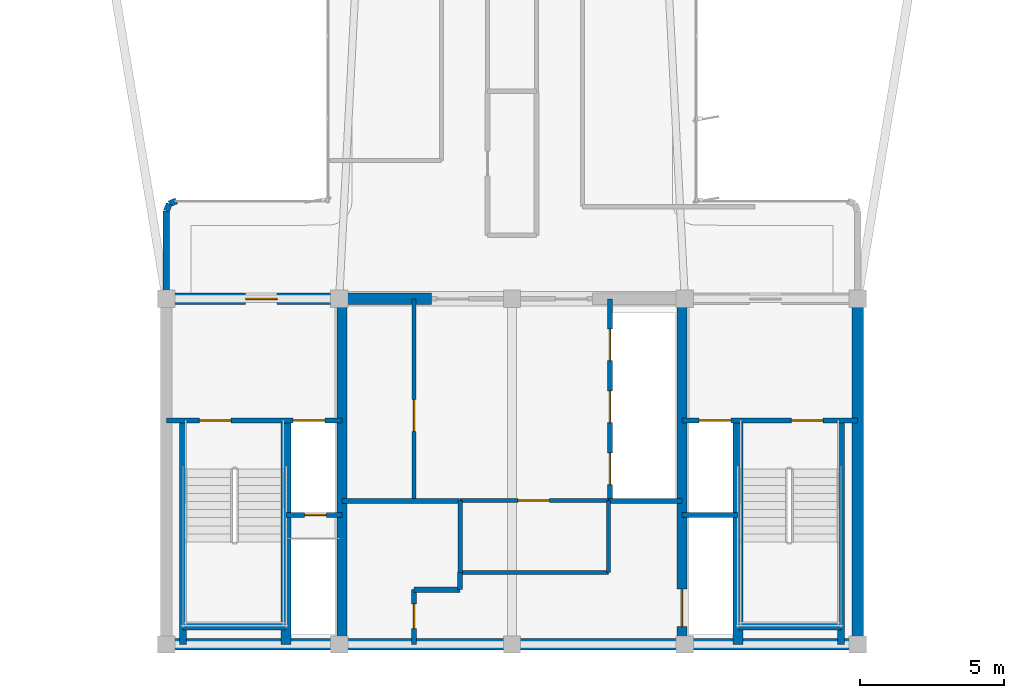
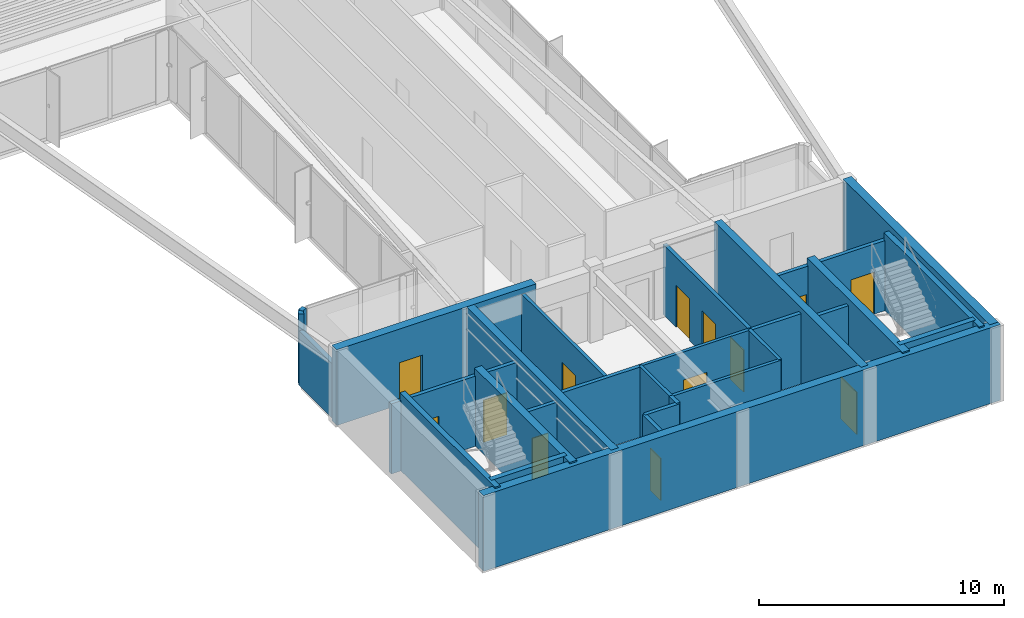
# One storey, part 10 of 14: 29 walls, 13 doors, 13 openings.
"""IFC4 building model written with IfcOpenShell, lengths in metres."""

from ifc_helpers import new_model, si_unit, direction, frame, frame_2d, origin, origin_2d, place, context, subcontext, project, spatial, rectangle, extrude, source, transform, mapped, material, layer, layer_set, type_object, element, fill, save


model = new_model("IFC4")

# Units and contexts
model_context = context("Model", 3, precision=1e-05, world=origin(), true_north=direction((0.0, 1.0)))
body_context = subcontext(model_context, "Body", "Model", "MODEL_VIEW")
ifc_project = project(units=[si_unit("LENGTHUNIT", "METRE"), si_unit("AREAUNIT", "SQUARE_METRE"), si_unit("VOLUMEUNIT", "CUBIC_METRE"), si_unit("PLANEANGLEUNIT", "RADIAN"), si_unit("MASSUNIT", "GRAM", prefix="KILO")], contexts=[model_context])

# Site, building, storey
site_placement = place(None, origin())
site = spatial("IfcSite", under=ifc_project, at=site_placement, CompositionType="ELEMENT")
building_placement = place(site_placement, origin())
building = spatial("IfcBuilding", under=site, at=building_placement, Name="Brelvock Crest Care Tower", CompositionType="ELEMENT")
storey_placement = place(building_placement, frame((0.0, 0.0, 253.260009765625)))
storey = spatial("IfcBuildingStorey", under=building, at=storey_placement, Name="L64", CompositionType="ELEMENT", Elevation=253.260009765625)

# Walls
ifc_material_1 = material(Name="Concrete S65 (65 MPa)", Category="concrete")
ifc_layer_1 = layer(ifc_material_1, 0.39990234375, Name="WL-CS4")
ifc_layer_set_1 = layer_set([ifc_layer_1], Name="Concrete S65 (65 MPa)")
wall_type_1 = type_object("IfcWallType", Name="WL-CS4", PredefinedType="SHEAR", material=ifc_layer_set_1)
wall_1_placement = place(storey_placement, frame((48.199951171875, 6.0, 0.0), z_axis=(0.0, 0.0, 1.0), x_axis=(-1.0, 0.0, 0.0)))
element("IfcWall", 1, at=wall_1_placement, inside=storey, type_object=wall_type_1, Name="L64 Core South Shear Wall", PredefinedType="SHEAR", context=body_context, shape_type="SweptSolid", body=[
    extrude(rectangle(XDim=24.39990234375, YDim=0.39990234375, at=frame_2d((12.199951171875, 0.0))), origin(), (0.0, 0.0, 1.0), 3.780029296875),
])
wall_2_placement = place(storey_placement, frame((48.0, 18.0, 0.0), z_axis=(0.0, 0.0, 1.0), x_axis=(0.0, -1.0, 0.0)))
element("IfcWall", 2, at=wall_2_placement, inside=storey, type_object=wall_type_1, Name="L64 Core East Shear Wall", PredefinedType="SHEAR", context=body_context, shape_type="SweptSolid", body=[
    extrude(rectangle(XDim=12.0, YDim=0.39990234375, at=frame_2d((6.0, 0.0))), origin(), (0.0, 0.0, 1.0), 3.780029296875),
])

# Wall, opening, door
wall_3_placement = place(storey_placement, frame((23.800048828125, 18.0, 0.0), z_axis=(0.0, 0.0, 1.0), x_axis=(1.0, 0.0, 0.0)))
wall_3 = element("IfcWall", 3, at=wall_3_placement, inside=storey, type_object=wall_type_1, Name="L64 Core North-West Shear Wall", PredefinedType="SHEAR", context=body_context, shape_type="SweptSolid", body=[
    extrude(rectangle(XDim=9.39990234375, YDim=0.39990234375, at=frame_2d((4.699951171875, 0.0))), origin(), (0.0, 0.0, 1.0), 3.780029296875),
])
opening_1_placement = place(wall_3_placement, frame((2.949951171875, 0.0, 0.0)))
opening_1 = element("IfcOpeningElement", 4, at=opening_1_placement, cuts=wall_3, Name="Opening FD-1", PredefinedType="OPENING", context=body_context, shape_type="SweptSolid", body=[
    extrude(rectangle(XDim=1.10009765625, YDim=2.10009765625, at=origin_2d()), frame((0.550048828125, 0.2099609375, 1.050048828125), z_axis=(0.0, -1.0, 0.0), x_axis=(1.0, 0.0, 0.0)), (0.0, 0.0, 1.0), 0.419921875),
])
ifc_material_2 = material(Name="Steel Grade 350", Category="steel")
door_type_1 = type_object("IfcDoorType", Name="DR-FFL1", OperationType="NOTDEFINED", PredefinedType="DOOR", material=ifc_material_2)
shared_shape_1 = source(origin(), body_context, "Body", "SweptSolid", [
    extrude(rectangle(XDim=1.10009765625, YDim=2.10009765625, at=origin_2d()), frame((0.550048828125, 0.02490234375, 1.050048828125), z_axis=(0.0, -1.0, 0.0), x_axis=(1.0, 0.0, 0.0)), (0.0, 0.0, 1.0), 0.050048828125),
])
door_1_placement = place(opening_1_placement, origin())
door_1 = element("IfcDoor", 5, at=door_1_placement, inside=storey, type_object=door_type_1, Name="L64 Firefighting Lobby FFL-1 Exit Door", OperationType="SINGLE_SWING_LEFT", OverallHeight=2.10009765625, OverallWidth=1.10009765625, PredefinedType="DOOR", context=body_context, shape_type="MappedRepresentation", body=[
    mapped(shared_shape_1, transform((0.0, 0.0, 0.0), x_axis=(1.0, 0.0, 0.0), y_axis=(0.0, 1.0, 0.0), z_axis=(0.0, 0.0, 1.0), scale=1.0)),
])
fill(opening_1, door_1)

# Wall
ifc_material_3 = material(Name="Concrete S80 (80 MPa)", Category="concrete")
ifc_layer_2 = layer(ifc_material_3, 0.35009765625, Name="WL-CS5")
ifc_layer_set_2 = layer_set([ifc_layer_2], Name="Concrete S80 (80 MPa)")
wall_type_2 = type_object("IfcWallType", Name="WL-CS5", PredefinedType="SHEAR", material=ifc_layer_set_2)
wall_4_placement = place(storey_placement, frame((30.10009765625, 6.0, 0.0), z_axis=(0.0, 0.0, 1.0), x_axis=(0.0, 1.0, 0.0)))
element("IfcWall", 6, at=wall_4_placement, inside=storey, type_object=wall_type_2, Name="L64 Core Internal Web Wall West", PredefinedType="SHEAR", context=body_context, shape_type="SweptSolid", body=[
    extrude(rectangle(XDim=12.0, YDim=0.35009765625, at=frame_2d((6.0, 0.0))), origin(), (0.0, 0.0, 1.0), 3.780029296875),
])

# Wall, opening, door
wall_5_placement = place(storey_placement, frame((41.89990234375, 18.0, 0.0), z_axis=(0.0, 0.0, 1.0), x_axis=(0.0, -1.0, 0.0)))
wall_5 = element("IfcWall", 7, at=wall_5_placement, inside=storey, type_object=wall_type_2, Name="L64 Core Internal Web Wall East", PredefinedType="SHEAR", context=body_context, shape_type="SweptSolid", body=[
    extrude(rectangle(XDim=12.0, YDim=0.35009765625, at=frame_2d((6.0, 0.0))), origin(), (0.0, 0.0, 1.0), 3.780029296875),
])
opening_2_placement = place(wall_5_placement, frame((10.080078125, 0.0, 0.0)))
opening_2 = element("IfcOpeningElement", 8, at=opening_2_placement, cuts=wall_5, Name="Opening LD-S", PredefinedType="OPENING", context=body_context, shape_type="SweptSolid", body=[
    extrude(rectangle(XDim=1.300048828125, YDim=2.10009765625, at=origin_2d()), frame((0.64990234375, 0.18505859375, 1.050048828125), z_axis=(0.0, -1.0, 0.0), x_axis=(1.0, 0.0, 0.0)), (0.0, 0.0, 1.0), 0.3701171875),
])
door_type_2 = type_object("IfcDoorType", Name="DR-LDS1", OperationType="NOTDEFINED", PredefinedType="DOOR", material=ifc_material_2)
shared_shape_2 = source(origin(), body_context, "Body", "SweptSolid", [
    extrude(rectangle(XDim=1.300048828125, YDim=2.10009765625, at=origin_2d()), frame((0.64990234375, 0.02490234375, 1.050048828125), z_axis=(0.0, -1.0, 0.0), x_axis=(1.0, 0.0, 0.0)), (0.0, 0.0, 1.0), 0.050048828125),
])
door_2_placement = place(opening_2_placement, origin())
door_2 = element("IfcDoor", 9, at=door_2_placement, inside=storey, type_object=door_type_2, Name="L64 Clinical Bed Lift SL-1 Landing Door", OperationType="SLIDING_TO_LEFT", OverallHeight=2.10009765625, OverallWidth=1.300048828125, PredefinedType="DOOR", context=body_context, shape_type="MappedRepresentation", body=[
    mapped(shared_shape_2, transform((0.0, 0.0, 0.0), x_axis=(1.0, 0.0, 0.0), y_axis=(0.0, 1.0, 0.0), z_axis=(0.0, 0.0, 1.0), scale=1.0)),
])
fill(opening_2, door_2)

# Walls
for number, where, z_axis, x_axis, name in (
    (10, (28.14990234375, 6.0, 0.0), (0.0, 0.0, 1.0), (0.0, 1.0, 0.0), "L64 Core Stair ST-1 East Shear Wall"),
    (11, (43.85009765625, 6.0, 0.0), (0.0, 0.0, 1.0), (0.0, 1.0, 0.0), "L64 Core Stair ST-2 West Shear Wall"),
):
    element("IfcWall", number, at=place(storey_placement, frame(where, z_axis=z_axis, x_axis=x_axis)), inside=storey, type_object=wall_type_2, Name=name, PredefinedType="SHEAR", context=body_context, shape_type="SweptSolid", body=[
        extrude(rectangle(XDim=7.780029296875, YDim=0.35009765625, at=frame_2d((3.89013671875, 0.0))), origin(), (0.0, 0.0, 1.0), 3.85009765625),
    ])
ifc_layer_3 = layer(ifc_material_3, 0.25, Name="WL-CS6")
ifc_layer_set_3 = layer_set([ifc_layer_3], Name="Concrete S80 (80 MPa)")
wall_type_3 = type_object("IfcWallType", Name="WL-CS6", PredefinedType="SHEAR", material=ifc_layer_set_3)
wall_6_placement = place(storey_placement, frame((24.580078125, 6.0, 0.0), z_axis=(0.0, 0.0, 1.0), x_axis=(0.0, 1.0, 0.0)))
element("IfcWall", 12, at=wall_6_placement, inside=storey, type_object=wall_type_3, Name="L64 Core Stair ST-1 West Shear Wall", PredefinedType="SHEAR", context=body_context, shape_type="SweptSolid", body=[
    extrude(rectangle(XDim=7.780029296875, YDim=0.25, at=frame_2d((3.89013671875, 0.0))), origin(), (0.0, 0.0, 1.0), 3.85009765625),
])
wall_7_placement = place(storey_placement, frame((24.580078125, 6.6201171875, 0.0), z_axis=(0.0, 0.0, 1.0), x_axis=(1.0, 0.0, 0.0)))
element("IfcWall", 13, at=wall_7_placement, inside=storey, type_object=wall_type_3, Name="L64 Core Stair ST-1 South Shear Wall", PredefinedType="SHEAR", context=body_context, shape_type="SweptSolid", body=[
    extrude(rectangle(XDim=3.56982421875, YDim=0.25, at=frame_2d((1.784912109375, 0.0))), origin(), (0.0, 0.0, 1.0), 3.85009765625),
])
wall_8_placement = place(storey_placement, frame((47.419921875, 6.0, 0.0), z_axis=(0.0, 0.0, 1.0), x_axis=(0.0, 1.0, 0.0)))
element("IfcWall", 14, at=wall_8_placement, inside=storey, type_object=wall_type_3, Name="L64 Core Stair ST-2 East Shear Wall", PredefinedType="SHEAR", context=body_context, shape_type="SweptSolid", body=[
    extrude(rectangle(XDim=7.780029296875, YDim=0.25, at=frame_2d((3.89013671875, 0.0))), origin(), (0.0, 0.0, 1.0), 3.85009765625),
])
wall_9_placement = place(storey_placement, frame((43.85009765625, 6.6201171875, 0.0), z_axis=(0.0, 0.0, 1.0), x_axis=(1.0, 0.0, 0.0)))
element("IfcWall", 15, at=wall_9_placement, inside=storey, type_object=wall_type_3, Name="L64 Core Stair ST-2 South Shear Wall", PredefinedType="SHEAR", context=body_context, shape_type="SweptSolid", body=[
    extrude(rectangle(XDim=3.56982421875, YDim=0.25, at=frame_2d((1.784912109375, 0.0))), origin(), (0.0, 0.0, 1.0), 3.85009765625),
])
ifc_material_4 = material(Name="Precast concrete N40 (40 MPa)", Category="concrete")
ifc_layer_4 = layer(ifc_material_4, 0.215087890625, Name="WL-EX2")
ifc_layer_set_4 = layer_set([ifc_layer_4], Name="Precast concrete N40 (40 MPa)")
wall_type_4 = type_object("IfcWallType", Name="WL-EX2", PredefinedType="SOLIDWALL", material=ifc_layer_set_4)
wall_10_placement = place(storey_placement, frame((24.0, 18.280029296875, 0.0), z_axis=(0.0, 0.0, 1.0), x_axis=(0.0, 1.0, 0.0)))
element("IfcWall", 16, at=wall_10_placement, inside=storey, type_object=wall_type_4, Name="L64 Rounded Corner Wall 07", PredefinedType="SOLIDWALL", context=body_context, shape_type="SweptSolid", body=[
    extrude(rectangle(XDim=2.77001953125, YDim=0.215087890625, at=frame_2d((1.385009765625, 0.0))), origin(), (0.0, 0.0, 1.0), 2.718017578125),
])
wall_11_placement = place(storey_placement, frame((24.0, 21.050048828125, 0.0), z_axis=(0.0, 0.0, 1.0), x_axis=(0.382673670509, 0.923883575944, 0.0)))
element("IfcWall", 17, at=wall_11_placement, inside=storey, type_object=wall_type_4, Name="L64 Rounded Corner Wall 08", PredefinedType="SOLIDWALL", context=body_context, shape_type="SweptSolid", body=[
    extrude(rectangle(XDim=0.26806640625, YDim=0.215087890625, at=frame_2d((0.134033203125, 0.0))), origin(), (0.0, 0.0, 1.0), 3.530029296875),
])
wall_12_placement = place(storey_placement, frame((24.1025390625, 21.297607421875, 0.0), z_axis=(0.0, 0.0, 1.0), x_axis=(0.924205486139, 0.381895560841, 0.0)))
element("IfcWall", 18, at=wall_12_placement, inside=storey, type_object=wall_type_4, Name="L64 Rounded Corner Wall 09", PredefinedType="SOLIDWALL", context=body_context, shape_type="SweptSolid", body=[
    extrude(rectangle(XDim=0.267822265625, YDim=0.215087890625, at=frame_2d((0.1337890625, 0.0))), origin(), (0.0, 0.0, 1.0), 3.530029296875),
])

# Wall, opening, door
ifc_material_5 = material(Name="Masonry Blockwork Acoustic Partition", Category="masonry")
ifc_layer_5 = layer(ifc_material_5, 0.14990234375, Name="WL-INT1")
ifc_layer_set_5 = layer_set([ifc_layer_5], Name="Masonry Blockwork Acoustic Partition")
wall_type_5 = type_object("IfcWallType", Name="WL-INT1", PredefinedType="PARTITIONING", material=ifc_layer_set_5)
wall_13_placement = place(storey_placement, frame((32.60009765625, 11.0, 0.0), z_axis=(0.0, 0.0, 1.0), x_axis=(0.0, 1.0, 0.0)))
wall_13 = element("IfcWall", 19, at=wall_13_placement, inside=storey, type_object=wall_type_5, Name="L64 Interior Wall WL-CRCL-E-L64", PredefinedType="PARTITIONING", context=body_context, shape_type="SweptSolid", body=[
    extrude(rectangle(XDim=7.0, YDim=0.14990234375, at=frame_2d((3.5, 0.0))), origin(), (0.0, 0.0, 1.0), 3.5),
])
opening_3_placement = place(wall_13_placement, frame((2.39990234375, 0.0, 0.0)))
opening_3 = element("IfcOpeningElement", 20, at=opening_3_placement, cuts=wall_13, Name="Opening PD-1", PredefinedType="OPENING", context=body_context, shape_type="SweptSolid", body=[
    extrude(rectangle(XDim=1.10009765625, YDim=2.10009765625, at=origin_2d()), frame((0.550048828125, 0.0849609375, 1.050048828125), z_axis=(0.0, -1.0, 0.0), x_axis=(1.0, 0.0, 0.0)), (0.0, 0.0, 1.0), 0.169921875),
])
door_type_3 = type_object("IfcDoorType", Name="DR-PLT1", OperationType="NOTDEFINED", PredefinedType="DOOR", material=ifc_material_2)
shared_shape_3 = source(origin(), body_context, "Body", "SweptSolid", [
    extrude(rectangle(XDim=1.10009765625, YDim=2.10009765625, at=origin_2d()), frame((0.550048828125, 0.02490234375, 1.050048828125), z_axis=(0.0, -1.0, 0.0), x_axis=(1.0, 0.0, 0.0)), (0.0, 0.0, 1.0), 0.050048828125),
])
door_3_placement = place(opening_3_placement, origin())
door_3 = element("IfcDoor", 21, at=door_3_placement, inside=storey, type_object=door_type_3, Name="DR-CRCL1-L64", OperationType="SINGLE_SWING_LEFT", OverallHeight=2.10009765625, OverallWidth=1.10009765625, PredefinedType="DOOR", context=body_context, shape_type="MappedRepresentation", body=[
    mapped(shared_shape_3, transform((0.0, 0.0, 0.0), x_axis=(1.0, 0.0, 0.0), y_axis=(0.0, 1.0, 0.0), z_axis=(0.0, 0.0, 1.0), scale=1.0)),
])
fill(opening_3, door_3)

# Walls
wall_14_placement = place(storey_placement, frame((34.199951171875, 8.5, 0.0), z_axis=(0.0, 0.0, 1.0), x_axis=(1.0, 0.0, 0.0)))
element("IfcWall", 22, at=wall_14_placement, inside=storey, type_object=wall_type_5, Name="L64 Interior Wall WL-CRCM-S-L64", PredefinedType="PARTITIONING", context=body_context, shape_type="SweptSolid", body=[
    extrude(rectangle(XDim=5.150146484375, YDim=0.14990234375, at=frame_2d((2.5751953125, 0.0))), origin(), (0.0, 0.0, 1.0), 3.5),
])
for number, where, z_axis, x_axis, name in (
    (23, (34.199951171875, 8.5, 0.0), (0.0, 0.0, 1.0), (0.0, 1.0, 0.0), "L64 Interior Wall WL-CRCM-W-L64"),
    (24, (39.35009765625, 8.5, 0.0), (0.0, 0.0, 1.0), (0.0, 1.0, 0.0), "L64 Interior Wall WL-CRCM-E-L64"),
):
    element("IfcWall", number, at=place(storey_placement, frame(where, z_axis=z_axis, x_axis=x_axis)), inside=storey, type_object=wall_type_5, Name=name, PredefinedType="PARTITIONING", context=body_context, shape_type="SweptSolid", body=[
        extrude(rectangle(XDim=2.5, YDim=0.14990234375, at=frame_2d((1.25, 0.0))), origin(), (0.0, 0.0, 1.0), 3.5),
    ])

# Wall, opening, door
wall_15_placement = place(storey_placement, frame((34.199951171875, 11.0, 0.0), z_axis=(0.0, 0.0, 1.0), x_axis=(1.0, 0.0, 0.0)))
wall_15 = element("IfcWall", 25, at=wall_15_placement, inside=storey, type_object=wall_type_5, Name="L64 Interior Wall WL-CRCM-N-L64", PredefinedType="PARTITIONING", context=body_context, shape_type="SweptSolid", body=[
    extrude(rectangle(XDim=5.150146484375, YDim=0.14990234375, at=frame_2d((2.5751953125, 0.0))), origin(), (0.0, 0.0, 1.0), 3.5),
])
opening_4_placement = place(wall_15_placement, frame((2.0, 0.0, 0.0)))
opening_4 = element("IfcOpeningElement", 26, at=opening_4_placement, cuts=wall_15, Name="Opening PD-1", PredefinedType="OPENING", context=body_context, shape_type="SweptSolid", body=[
    extrude(rectangle(XDim=1.10009765625, YDim=2.10009765625, at=origin_2d()), frame((0.550048828125, 0.0849609375, 1.050048828125), z_axis=(0.0, -1.0, 0.0), x_axis=(1.0, 0.0, 0.0)), (0.0, 0.0, 1.0), 0.169921875),
])
door_4_placement = place(opening_4_placement, origin())
door_4 = element("IfcDoor", 27, at=door_4_placement, inside=storey, type_object=door_type_3, Name="DR-CRCM1-L64", OperationType="SINGLE_SWING_LEFT", OverallHeight=2.10009765625, OverallWidth=1.10009765625, PredefinedType="DOOR", context=body_context, shape_type="MappedRepresentation", body=[
    mapped(shared_shape_3, transform((0.0, 0.0, 0.0), x_axis=(1.0, 0.0, 0.0), y_axis=(0.0, 1.0, 0.0), z_axis=(0.0, 0.0, 1.0), scale=1.0)),
])
fill(opening_4, door_4)

# Walls
ifc_layer_6 = layer(ifc_material_5, 0.179931640625, Name="WL-SHF1")
ifc_layer_set_6 = layer_set([ifc_layer_6], Name="Masonry Blockwork Acoustic Partition")
wall_type_6 = type_object("IfcWallType", Name="WL-SHF1", PredefinedType="PARTITIONING", material=ifc_layer_set_6)
wall_16_placement = place(storey_placement, frame((30.10009765625, 10.97998046875, 0.0), z_axis=(0.0, 0.0, 1.0), x_axis=(1.0, 0.0, 0.0)))
element("IfcWall", 28, at=wall_16_placement, inside=storey, type_object=wall_type_6, Name="L64 Interior Wall WL-CSBW-N-L64", PredefinedType="PARTITIONING", context=body_context, shape_type="SweptSolid", body=[
    extrude(rectangle(XDim=4.079833984375, YDim=0.179931640625, at=frame_2d((2.0400390625, 0.0))), origin(), (0.0, 0.0, 1.0), 3.5),
])
wall_17_placement = place(storey_placement, frame((34.199951171875, 7.89990234375, 0.0), z_axis=(0.0, 0.0, 1.0), x_axis=(0.0, 1.0, 0.0)))
element("IfcWall", 29, at=wall_17_placement, inside=storey, type_object=wall_type_6, Name="L64 Interior Wall WL-CSBW-E2-L64", PredefinedType="PARTITIONING", context=body_context, shape_type="SweptSolid", body=[
    extrude(rectangle(XDim=0.60009765625, YDim=0.179931640625, at=frame_2d((0.300048828125, 0.0))), origin(), (0.0, 0.0, 1.0), 3.5),
])
wall_18_placement = place(storey_placement, frame((32.60009765625, 7.89990234375, 0.0), z_axis=(0.0, 0.0, 1.0), x_axis=(1.0, 0.0, 0.0)))
element("IfcWall", 30, at=wall_18_placement, inside=storey, type_object=wall_type_6, Name="L64 Interior Wall WL-CSBW-S2-L64", PredefinedType="PARTITIONING", context=body_context, shape_type="SweptSolid", body=[
    extrude(rectangle(XDim=1.599853515625, YDim=0.179931640625, at=frame_2d((0.7998046875, 0.0))), origin(), (0.0, 0.0, 1.0), 3.5),
])

# Wall, opening, door
wall_19_placement = place(storey_placement, frame((32.60009765625, 6.0, 0.0), z_axis=(0.0, 0.0, 1.0), x_axis=(0.0, 1.0, 0.0)))
wall_19 = element("IfcWall", 31, at=wall_19_placement, inside=storey, type_object=wall_type_6, Name="L64 Interior Wall WL-CSBW-E1-L64", PredefinedType="PARTITIONING", context=body_context, shape_type="SweptSolid", body=[
    extrude(rectangle(XDim=1.89990234375, YDim=0.179931640625, at=frame_2d((0.949951171875, 0.0))), origin(), (0.0, 0.0, 1.0), 3.5),
])
opening_5_placement = place(wall_19_placement, frame((0.550048828125, 0.0, 0.0)))
opening_5 = element("IfcOpeningElement", 32, at=opening_5_placement, cuts=wall_19, Name="Opening ID-1", PredefinedType="OPENING", context=body_context, shape_type="SweptSolid", body=[
    extrude(rectangle(XDim=0.860107421875, YDim=2.10009765625, at=origin_2d()), frame((0.43017578125, 0.10009765625, 1.050048828125), z_axis=(0.0, -1.0, 0.0), x_axis=(1.0, 0.0, 0.0)), (0.0, 0.0, 1.0), 0.199951171875),
])
ifc_material_6 = material(Name="Engineered Hardwood Timber", Category="wood")
door_type_4 = type_object("IfcDoorType", Name="DR-INT1", OperationType="NOTDEFINED", PredefinedType="DOOR", material=ifc_material_6)
shared_shape_4 = source(origin(), body_context, "Body", "SweptSolid", [
    extrude(rectangle(XDim=0.860107421875, YDim=2.10009765625, at=origin_2d()), frame((0.43017578125, 0.02490234375, 1.050048828125), z_axis=(0.0, -1.0, 0.0), x_axis=(1.0, 0.0, 0.0)), (0.0, 0.0, 1.0), 0.050048828125),
])
door_5_placement = place(opening_5_placement, origin())
door_5 = element("IfcDoor", 33, at=door_5_placement, inside=storey, type_object=door_type_4, Name="DR-CSBW-L64", OperationType="SINGLE_SWING_LEFT", OverallHeight=2.10009765625, OverallWidth=0.860107421875, PredefinedType="DOOR", context=body_context, shape_type="MappedRepresentation", body=[
    mapped(shared_shape_4, transform((0.0, 0.0, 0.0), x_axis=(1.0, 0.0, 0.0), y_axis=(0.0, 1.0, 0.0), z_axis=(0.0, 0.0, 1.0), scale=1.0)),
])
fill(opening_5, door_5)

# Wall
wall_20_placement = place(storey_placement, frame((39.35009765625, 10.97998046875, 0.0), z_axis=(0.0, 0.0, 1.0), x_axis=(1.0, 0.0, 0.0)))
element("IfcWall", 34, at=wall_20_placement, inside=storey, type_object=wall_type_6, Name="L64 Interior Wall WL-CSBE-N-L64", PredefinedType="PARTITIONING", context=body_context, shape_type="SweptSolid", body=[
    extrude(rectangle(XDim=2.5498046875, YDim=0.179931640625, at=frame_2d((1.27490234375, 0.0))), origin(), (0.0, 0.0, 1.0), 3.5),
])

# Wall, openings, doors
wall_21_placement = place(storey_placement, frame((24.0, 13.780029296875, 0.0), z_axis=(0.0, 0.0, 1.0), x_axis=(1.0, 0.0, 0.0)))
wall_21 = element("IfcWall", 35, at=wall_21_placement, inside=storey, type_object=wall_type_6, Name="L64 Interior Wall WL-ST1-N-L64", PredefinedType="PARTITIONING", context=body_context, shape_type="SweptSolid", body=[
    extrude(rectangle(XDim=6.10009765625, YDim=0.179931640625, at=frame_2d((3.050048828125, 0.0))), origin(), (0.0, 0.0, 1.0), 3.5),
])
opening_6_placement = place(wall_21_placement, frame((1.14990234375, 0.0, 0.0)))
opening_6 = element("IfcOpeningElement", 36, at=opening_6_placement, cuts=wall_21, Name="Opening SD-1", PredefinedType="OPENING", context=body_context, shape_type="SweptSolid", body=[
    extrude(rectangle(XDim=1.10009765625, YDim=2.10009765625, at=origin_2d()), frame((0.550048828125, 0.10009765625, 1.050048828125), z_axis=(0.0, -1.0, 0.0), x_axis=(1.0, 0.0, 0.0)), (0.0, 0.0, 1.0), 0.199951171875),
])
opening_7_placement = place(wall_21_placement, frame((4.39990234375, 0.0, 0.0)))
opening_7 = element("IfcOpeningElement", 37, at=opening_7_placement, cuts=wall_21, Name="Opening LD", PredefinedType="OPENING", context=body_context, shape_type="SweptSolid", body=[
    extrude(rectangle(XDim=1.10009765625, YDim=2.10009765625, at=origin_2d()), frame((0.550048828125, 0.10009765625, 1.050048828125), z_axis=(0.0, -1.0, 0.0), x_axis=(1.0, 0.0, 0.0)), (0.0, 0.0, 1.0), 0.199951171875),
])
door_type_5 = type_object("IfcDoorType", Name="DR-ST1", OperationType="NOTDEFINED", PredefinedType="DOOR", material=ifc_material_2)
shared_shape_5 = source(origin(), body_context, "Body", "SweptSolid", [
    extrude(rectangle(XDim=1.10009765625, YDim=2.10009765625, at=origin_2d()), frame((0.550048828125, 0.02490234375, 1.050048828125), z_axis=(0.0, -1.0, 0.0), x_axis=(1.0, 0.0, 0.0)), (0.0, 0.0, 1.0), 0.050048828125),
])
door_6_placement = place(opening_6_placement, origin())
door_6 = element("IfcDoor", 38, at=door_6_placement, inside=storey, type_object=door_type_5, Name="L64 Fire Stair ST-1 Door", OperationType="SINGLE_SWING_LEFT", OverallHeight=2.10009765625, OverallWidth=1.10009765625, PredefinedType="DOOR", context=body_context, shape_type="MappedRepresentation", body=[
    mapped(shared_shape_5, transform((0.0, 0.0, 0.0), x_axis=(1.0, 0.0, 0.0), y_axis=(0.0, 1.0, 0.0), z_axis=(0.0, 0.0, 1.0), scale=1.0)),
])
fill(opening_6, door_6)
door_type_6 = type_object("IfcDoorType", Name="DR-LD1", OperationType="NOTDEFINED", PredefinedType="DOOR", material=ifc_material_2)
shared_shape_6 = source(origin(), body_context, "Body", "SweptSolid", [
    extrude(rectangle(XDim=1.10009765625, YDim=2.10009765625, at=origin_2d()), frame((0.550048828125, 0.02490234375, 1.050048828125), z_axis=(0.0, -1.0, 0.0), x_axis=(1.0, 0.0, 0.0)), (0.0, 0.0, 1.0), 0.050048828125),
])
door_7_placement = place(opening_7_placement, origin())
door_7 = element("IfcDoor", 39, at=door_7_placement, inside=storey, type_object=door_type_6, Name="L64 Firefighting Lift FFL-1 Landing Door", OperationType="SLIDING_TO_LEFT", OverallHeight=2.10009765625, OverallWidth=1.10009765625, PredefinedType="DOOR", context=body_context, shape_type="MappedRepresentation", body=[
    mapped(shared_shape_6, transform((0.0, 0.0, 0.0), x_axis=(1.0, 0.0, 0.0), y_axis=(0.0, 1.0, 0.0), z_axis=(0.0, 0.0, 1.0), scale=1.0)),
])
fill(opening_7, door_7)

# Wall, opening, door
wall_22_placement = place(storey_placement, frame((28.14990234375, 10.5, 0.0), z_axis=(0.0, 0.0, 1.0), x_axis=(1.0, 0.0, 0.0)))
wall_22 = element("IfcWall", 40, at=wall_22_placement, inside=storey, type_object=wall_type_6, Name="L64 Interior Wall WL-FFH1-S-L64", PredefinedType="PARTITIONING", context=body_context, shape_type="SweptSolid", body=[
    extrude(rectangle(XDim=1.9501953125, YDim=0.179931640625, at=frame_2d((0.97509765625, 0.0))), origin(), (0.0, 0.0, 1.0), 3.5),
])
opening_8_placement = place(wall_22_placement, frame((0.64990234375, 0.0, 0.0)))
opening_8 = element("IfcOpeningElement", 41, at=opening_8_placement, cuts=wall_22, Name="Opening RD-1", PredefinedType="OPENING", context=body_context, shape_type="SweptSolid", body=[
    extrude(rectangle(XDim=0.760009765625, YDim=2.050048828125, at=origin_2d()), frame((0.3798828125, 0.10009765625, 1.02490234375), z_axis=(0.0, -1.0, 0.0), x_axis=(1.0, 0.0, 0.0)), (0.0, 0.0, 1.0), 0.199951171875),
])
door_type_7 = type_object("IfcDoorType", Name="DR-RIS1", OperationType="NOTDEFINED", PredefinedType="DOOR", material=ifc_material_2)
shared_shape_7 = source(origin(), body_context, "Body", "SweptSolid", [
    extrude(rectangle(XDim=0.760009765625, YDim=2.050048828125, at=origin_2d()), frame((0.3798828125, 0.02490234375, 1.02490234375), z_axis=(0.0, -1.0, 0.0), x_axis=(1.0, 0.0, 0.0)), (0.0, 0.0, 1.0), 0.050048828125),
])
door_8_placement = place(opening_8_placement, origin())
door_8 = element("IfcDoor", 42, at=door_8_placement, inside=storey, type_object=door_type_7, Name="L64 Wet Fire Riser Access Door", OperationType="SINGLE_SWING_LEFT", OverallHeight=2.050048828125, OverallWidth=0.760009765625, PredefinedType="DOOR", context=body_context, shape_type="MappedRepresentation", body=[
    mapped(shared_shape_7, transform((0.0, 0.0, 0.0), x_axis=(1.0, 0.0, 0.0), y_axis=(0.0, 1.0, 0.0), z_axis=(0.0, 0.0, 1.0), scale=1.0)),
])
fill(opening_8, door_8)

# Wall, openings, doors
wall_23_placement = place(storey_placement, frame((41.89990234375, 13.780029296875, 0.0), z_axis=(0.0, 0.0, 1.0), x_axis=(1.0, 0.0, 0.0)))
wall_23 = element("IfcWall", 43, at=wall_23_placement, inside=storey, type_object=wall_type_6, Name="L64 Interior Wall WL-ST2-N-L64", PredefinedType="PARTITIONING", context=body_context, shape_type="SweptSolid", body=[
    extrude(rectangle(XDim=6.10009765625, YDim=0.179931640625, at=frame_2d((3.050048828125, 0.0))), origin(), (0.0, 0.0, 1.0), 3.5),
])
opening_9_placement = place(wall_23_placement, frame((0.60009765625, 0.0, 0.0)))
opening_9 = element("IfcOpeningElement", 44, at=opening_9_placement, cuts=wall_23, Name="Opening LD", PredefinedType="OPENING", context=body_context, shape_type="SweptSolid", body=[
    extrude(rectangle(XDim=1.10009765625, YDim=2.10009765625, at=origin_2d()), frame((0.550048828125, 0.10009765625, 1.050048828125), z_axis=(0.0, -1.0, 0.0), x_axis=(1.0, 0.0, 0.0)), (0.0, 0.0, 1.0), 0.199951171875),
])
opening_10_placement = place(wall_23_placement, frame((3.800048828125, 0.0, 0.0)))
opening_10 = element("IfcOpeningElement", 45, at=opening_10_placement, cuts=wall_23, Name="Opening SD-1", PredefinedType="OPENING", context=body_context, shape_type="SweptSolid", body=[
    extrude(rectangle(XDim=1.10009765625, YDim=2.10009765625, at=origin_2d()), frame((0.550048828125, 0.10009765625, 1.050048828125), z_axis=(0.0, -1.0, 0.0), x_axis=(1.0, 0.0, 0.0)), (0.0, 0.0, 1.0), 0.199951171875),
])
door_9_placement = place(opening_10_placement, origin())
door_9 = element("IfcDoor", 46, at=door_9_placement, inside=storey, type_object=door_type_5, Name="L64 Fire Stair ST-2 Door", OperationType="SINGLE_SWING_RIGHT", OverallHeight=2.10009765625, OverallWidth=1.10009765625, PredefinedType="DOOR", context=body_context, shape_type="MappedRepresentation", body=[
    mapped(shared_shape_5, transform((0.0, 0.0, 0.0), x_axis=(1.0, 0.0, 0.0), y_axis=(0.0, 1.0, 0.0), z_axis=(0.0, 0.0, 1.0), scale=1.0)),
])
fill(opening_10, door_9)
door_10_placement = place(opening_9_placement, origin())
door_10 = element("IfcDoor", 47, at=door_10_placement, inside=storey, type_object=door_type_6, Name="L64 Firefighting Lift FFL-2 Landing Door", OperationType="SLIDING_TO_RIGHT", OverallHeight=2.10009765625, OverallWidth=1.10009765625, PredefinedType="DOOR", context=body_context, shape_type="MappedRepresentation", body=[
    mapped(shared_shape_6, transform((0.0, 0.0, 0.0), x_axis=(1.0, 0.0, 0.0), y_axis=(0.0, 1.0, 0.0), z_axis=(0.0, 0.0, 1.0), scale=1.0)),
])
fill(opening_9, door_10)

# Wall
wall_24_placement = place(storey_placement, frame((41.89990234375, 10.5, 0.0), z_axis=(0.0, 0.0, 1.0), x_axis=(1.0, 0.0, 0.0)))
element("IfcWall", 48, at=wall_24_placement, inside=storey, type_object=wall_type_6, Name="L64 Interior Wall WL-FFH2-S-L64", PredefinedType="PARTITIONING", context=body_context, shape_type="SweptSolid", body=[
    extrude(rectangle(XDim=1.9501953125, YDim=0.179931640625, at=frame_2d((0.97509765625, 0.0))), origin(), (0.0, 0.0, 1.0), 3.5),
])

# Wall, openings, doors
wall_25_placement = place(storey_placement, frame((39.39990234375, 11.0, 0.0), z_axis=(0.0, 0.0, 1.0), x_axis=(0.0, 1.0, 0.0)))
wall_25 = element("IfcWall", 49, at=wall_25_placement, inside=storey, type_object=wall_type_6, Name="L64 Interior Wall WL-PLH-BANK-L64", PredefinedType="PARTITIONING", context=body_context, shape_type="SweptSolid", body=[
    extrude(rectangle(XDim=7.0, YDim=0.179931640625, at=frame_2d((3.5, 0.0))), origin(), (0.0, 0.0, 1.0), 3.5),
])
opening_11_placement = place(wall_25_placement, frame((0.550048828125, 0.0, 0.0)))
opening_11 = element("IfcOpeningElement", 50, at=opening_11_placement, cuts=wall_25, Name="Opening LD", PredefinedType="OPENING", context=body_context, shape_type="SweptSolid", body=[
    extrude(rectangle(XDim=1.10009765625, YDim=2.10009765625, at=origin_2d()), frame((0.550048828125, 0.10009765625, 1.050048828125), z_axis=(0.0, -1.0, 0.0), x_axis=(1.0, 0.0, 0.0)), (0.0, 0.0, 1.0), 0.199951171875),
])
opening_12_placement = place(wall_25_placement, frame((2.699951171875, 0.0, 0.0)))
opening_12 = element("IfcOpeningElement", 51, at=opening_12_placement, cuts=wall_25, Name="Opening LD", PredefinedType="OPENING", context=body_context, shape_type="SweptSolid", body=[
    extrude(rectangle(XDim=1.10009765625, YDim=2.10009765625, at=origin_2d()), frame((0.550048828125, 0.10009765625, 1.050048828125), z_axis=(0.0, -1.0, 0.0), x_axis=(1.0, 0.0, 0.0)), (0.0, 0.0, 1.0), 0.199951171875),
])
opening_13_placement = place(wall_25_placement, frame((4.85009765625, 0.0, 0.0)))
opening_13 = element("IfcOpeningElement", 52, at=opening_13_placement, cuts=wall_25, Name="Opening LD", PredefinedType="OPENING", context=body_context, shape_type="SweptSolid", body=[
    extrude(rectangle(XDim=1.10009765625, YDim=2.10009765625, at=origin_2d()), frame((0.550048828125, 0.10009765625, 1.050048828125), z_axis=(0.0, -1.0, 0.0), x_axis=(1.0, 0.0, 0.0)), (0.0, 0.0, 1.0), 0.199951171875),
])
door_11_placement = place(opening_11_placement, origin())
door_11 = element("IfcDoor", 53, at=door_11_placement, inside=storey, type_object=door_type_6, Name="L64 Lift PL-H1 Landing Door", OperationType="SLIDING_TO_RIGHT", OverallHeight=2.10009765625, OverallWidth=1.10009765625, PredefinedType="DOOR", context=body_context, shape_type="MappedRepresentation", body=[
    mapped(shared_shape_6, transform((0.0, 0.0, 0.0), x_axis=(1.0, 0.0, 0.0), y_axis=(0.0, 1.0, 0.0), z_axis=(0.0, 0.0, 1.0), scale=1.0)),
])
fill(opening_11, door_11)
door_12_placement = place(opening_12_placement, origin())
door_12 = element("IfcDoor", 54, at=door_12_placement, inside=storey, type_object=door_type_6, Name="L64 Lift PL-H2 Landing Door", OperationType="SLIDING_TO_RIGHT", OverallHeight=2.10009765625, OverallWidth=1.10009765625, PredefinedType="DOOR", context=body_context, shape_type="MappedRepresentation", body=[
    mapped(shared_shape_6, transform((0.0, 0.0, 0.0), x_axis=(1.0, 0.0, 0.0), y_axis=(0.0, 1.0, 0.0), z_axis=(0.0, 0.0, 1.0), scale=1.0)),
])
fill(opening_12, door_12)
door_13_placement = place(opening_13_placement, origin())
door_13 = element("IfcDoor", 55, at=door_13_placement, inside=storey, type_object=door_type_6, Name="L64 Lift PL-H3 Landing Door", OperationType="SLIDING_TO_RIGHT", OverallHeight=2.10009765625, OverallWidth=1.10009765625, PredefinedType="DOOR", context=body_context, shape_type="MappedRepresentation", body=[
    mapped(shared_shape_6, transform((0.0, 0.0, 0.0), x_axis=(1.0, 0.0, 0.0), y_axis=(0.0, 1.0, 0.0), z_axis=(0.0, 0.0, 1.0), scale=1.0)),
])
fill(opening_13, door_13)

save(model, "model.ifc")
